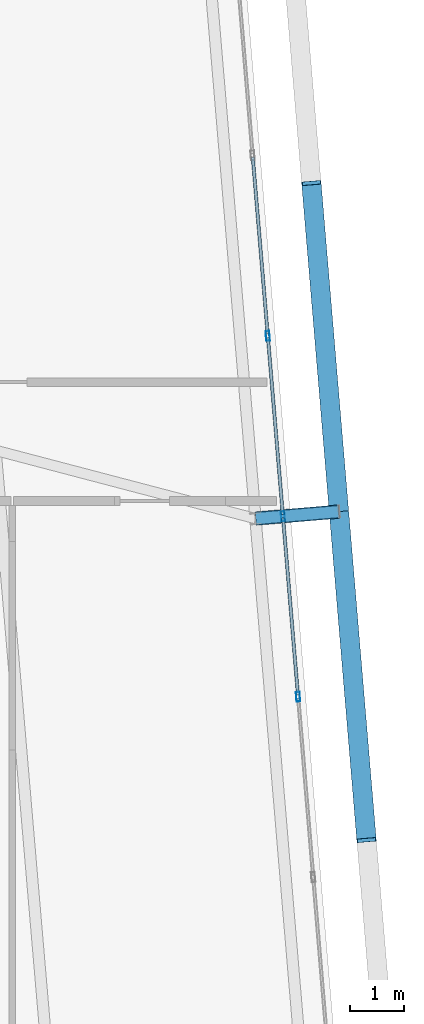
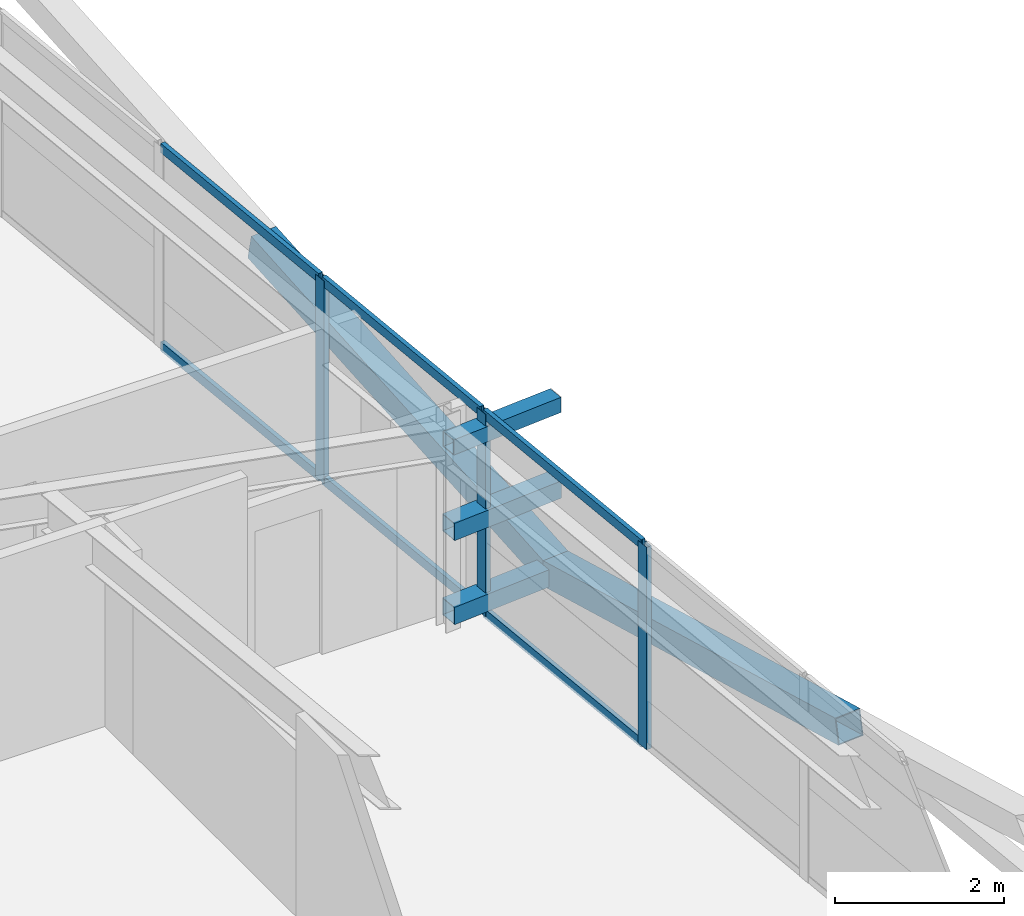
# One storey, part 25 of 46: 14 members, 1 element without a shape of its own.
"""IFC4 building model written with IfcOpenShell, lengths in metres."""

from ifc_helpers import new_model, si_unit, direction, frame, origin, origin_2d, place, context, subcontext, project, spatial, hollow_rectangle, extrude, source, transform, mapped, material, layer, layer_set, material_profile, profile_set, type_object, element, aggregate, save


model = new_model("IFC4")

# Units and contexts
model_context = context("Model", 3, precision=1e-05, world=origin(), true_north=direction((0.0, 1.0)))
body_context = subcontext(model_context, "Body", "Model", "MODEL_VIEW")
ifc_project = project(units=[si_unit("LENGTHUNIT", "METRE"), si_unit("AREAUNIT", "SQUARE_METRE"), si_unit("VOLUMEUNIT", "CUBIC_METRE"), si_unit("PLANEANGLEUNIT", "RADIAN"), si_unit("MASSUNIT", "GRAM", prefix="KILO")], contexts=[model_context])

# Site, building, storey
site_placement = place(None, origin())
site = spatial("IfcSite", under=ifc_project, at=site_placement, CompositionType="ELEMENT")
building_placement = place(site_placement, origin())
building = spatial("IfcBuilding", under=site, at=building_placement, Name="Taldren Reach Tower", CompositionType="ELEMENT")
storey_placement = place(building_placement, frame((0.0, 0.0, 188.300048828125)))
storey = spatial("IfcBuildingStorey", under=building, at=storey_placement, Name="L57", CompositionType="ELEMENT", Elevation=188.300048828125)

# Members
ifc_material_1 = material(Name="Steel Gr 450 (C450L0)", Category="steel")
ifc_material_profile_1 = material_profile(ifc_material_1, hollow_rectangle(XDim=0.219970703125, YDim=0.219970703125, WallThickness=0.00830078125, at=origin_2d()), Name="220x220x8.2SHS")
ifc_profile_set_1 = profile_set([ifc_material_profile_1], Name="Steel Gr 450 (C450L0)")
member_type_1 = type_object("IfcMemberType", Name="MB-TIE219", PredefinedType="STRUT", material=ifc_profile_set_1)
shared_shape_1 = source(origin(), body_context, "Body", "SweptSolid", [
    extrude(hollow_rectangle(XDim=0.219970703125, YDim=0.219970703125, WallThickness=0.00830078125, at=origin_2d()), origin(), (0.0, 0.0, 1.0), 1.54541015625),
])
member_1_placement = place(storey_placement, frame((60.621826171875, 21.47509765625, 2.64990234375), z_axis=(0.99648887425, 0.083725285883, 0.0), x_axis=(-0.083725285883, 0.99648887425, 0.0)))
element("IfcMember", 1, at=member_1_placement, inside=storey, type_object=member_type_1, Name="Exoskeleton diaphragm tie strut B4-E2 L57", PredefinedType="STRUT", context=body_context, shape_type="MappedRepresentation", body=[
    mapped(shared_shape_1, transform((0.0, 0.0, 0.0), scale=1.0)),
])
ifc_material_2 = material(Name="Steel Gr 350 (C350L0)", Category="steel")
ifc_material_profile_2 = material_profile(ifc_material_2, hollow_rectangle(XDim=0.25, YDim=0.25, WallThickness=0.010009765625, at=origin_2d()), Name="250x250x10.0SHS")
ifc_profile_set_2 = profile_set([ifc_material_profile_2], Name="Steel Gr 350 (C350L0)")
member_type_2 = type_object("IfcMemberType", Name="MB-POST250", PredefinedType="POST", material=ifc_profile_set_2)
shared_shape_2 = source(origin(), body_context, "Body", "SweptSolid", [
    extrude(hollow_rectangle(XDim=0.25, YDim=0.25, WallThickness=0.010009765625, at=origin_2d()), origin(), (0.0, 0.0, 1.0), 1.54541015625),
])
for number, where, z_axis, x_axis, name in (
    (2, (60.621826171875, 21.47509765625, 0.219970703125), (0.99648887425, 0.083725285883, 0.0), (-0.083725285883, 0.99648887425, 0.0), "Exoskeleton base diaphragm tie strut B4-E2 L57"),
    (3, (60.621826171875, 21.47509765625, 1.43505859375), (0.99648887425, 0.083725285883, 0.0), (-0.083725285883, 0.99648887425, 0.0), "Exoskeleton mid-tier diaphragm tie B4-E2 L57"),
):
    element("IfcMember", number, at=place(storey_placement, frame(where, z_axis=z_axis, x_axis=x_axis)), inside=storey, type_object=member_type_2, Name=name, PredefinedType="POST", context=body_context, shape_type="MappedRepresentation", body=[
        mapped(shared_shape_2, transform((0.0, 0.0, 0.0), scale=1.0)),
    ])
ifc_material_profile_3 = material_profile(ifc_material_1, hollow_rectangle(XDim=0.360107421875, YDim=0.360107421875, WallThickness=0.0126953125, at=origin_2d()), Name="360x360x12.7SHS")
ifc_profile_set_3 = profile_set([ifc_material_profile_3], Name="Steel Gr 450 (C450L0)")
member_type_3 = type_object("IfcMemberType", Name="MB-EXO356", PredefinedType="BRACE", material=ifc_profile_set_3)
shared_shape_3 = source(origin(), body_context, "Body", "SweptSolid", [
    extrude(hollow_rectangle(XDim=0.360107421875, YDim=0.360107421875, WallThickness=0.0126953125, at=origin_2d()), origin(), (0.0, 0.0, 1.0), 6.219970703125),
])
member_2_placement = place(storey_placement, frame((62.161865234375, 21.6044921875, 0.219970703125), z_axis=(-0.082075564879, 0.977291924611, 0.195356330179), x_axis=(-0.996492003099, -0.083688038336, 0.0)))
element("IfcMember", 4, at=member_2_placement, inside=storey, type_object=member_type_3, Name="Exoskeleton Diagrid Brace B4-E2 L57", PredefinedType="BRACE", context=body_context, shape_type="MappedRepresentation", body=[
    mapped(shared_shape_3, transform((0.0, 0.0, 0.0), scale=1.0)),
])
shared_shape_4 = source(origin(), body_context, "Body", "SweptSolid", [
    extrude(hollow_rectangle(XDim=0.360107421875, YDim=0.360107421875, WallThickness=0.0126953125, at=origin_2d()), origin(), (0.0, 0.0, 1.0), 6.2197265625),
])
member_3_placement = place(storey_placement, frame((62.161865234375, 21.6044921875, 0.219970703125), z_axis=(0.082036577282, -0.977295072332, 0.195356959394), x_axis=(0.996495340012, 0.08364829547, 0.0)))
element("IfcMember", 5, at=member_3_placement, inside=storey, type_object=member_type_3, Name="Exoskeleton Diagrid Brace B4-E1 L57", PredefinedType="BRACE", context=body_context, shape_type="MappedRepresentation", body=[
    mapped(shared_shape_4, transform((0.0, 0.0, 0.0), scale=1.0)),
])

# Curtain wall, members
ifc_material_3 = material(Name="Aluminium and Low-E Glass Unitised System", Category="aluminium")
ifc_layer = layer(ifc_material_3, 0.159912109375)
ifc_layer_set = layer_set([ifc_layer], Name="Aluminium and Low-E Glass Unitised System")
curtain_wall_type = type_object("IfcCurtainWallType", Name="CW-SYS-5", PredefinedType="NOTDEFINED", material=ifc_layer_set)
curtain_wall_placement = place(storey_placement, origin())
curtain_wall = element("IfcCurtainWall", 6, at=curtain_wall_placement, inside=storey, type_object=curtain_wall_type, Name="Unitised curtain wall CW-L57-E", PredefinedType="NOTDEFINED")
ifc_material_4 = material(Name="Anodised Aluminium 6063-T6", Category="aluminium")
ifc_material_profile_4 = material_profile(ifc_material_4, hollow_rectangle(XDim=0.070068359375, YDim=0.179931640625, WallThickness=0.00390625, at=origin_2d()), Name="ALU-180x70x4RHS")
ifc_profile_set_4 = profile_set([ifc_material_profile_4], Name="Anodised Aluminium 6063-T6")
member_type_4 = type_object("IfcMemberType", Name="CW-MUL-180", PredefinedType="MULLION", material=ifc_profile_set_4)
shared_shape_5 = source(origin(), body_context, "Body", "SweptSolid", [
    extrude(hollow_rectangle(XDim=0.070068359375, YDim=0.179931640625, WallThickness=0.00390625, at=origin_2d()), origin(), (0.0, 0.0, 1.0), 2.929931640625),
])
member_4_placement = place(storey_placement, frame((61.40576171875, 18.17919921875, 0.0), z_axis=(0.0, 0.0, 1.0), x_axis=(-0.996492847789, -0.083677979808, 0.0)))
member_4 = element("IfcMember", 7, at=member_4_placement, type_object=member_type_4, Name="CW-5 mullion 4", PredefinedType="MULLION", context=body_context, shape_type="MappedRepresentation", body=[
    mapped(shared_shape_5, transform((0.0, 0.0, 0.0), scale=1.0)),
])
member_5_placement = place(storey_placement, frame((61.12548828125, 21.517578125, 0.0), z_axis=(0.0, 0.0, 1.0), x_axis=(-0.996492847789, -0.083677979808, 0.0)))
member_5 = element("IfcMember", 8, at=member_5_placement, type_object=member_type_4, Name="CW-5 mullion 5", PredefinedType="MULLION", context=body_context, shape_type="MappedRepresentation", body=[
    mapped(shared_shape_5, transform((0.0, 0.0, 0.0), scale=1.0)),
])
member_6_placement = place(storey_placement, frame((60.84521484375, 24.855712890625, 0.0), z_axis=(0.0, 0.0, 1.0), x_axis=(-0.996492847789, -0.083677979808, 0.0)))
member_6 = element("IfcMember", 9, at=member_6_placement, type_object=member_type_4, Name="CW-5 mullion 6", PredefinedType="MULLION", context=body_context, shape_type="MappedRepresentation", body=[
    mapped(shared_shape_5, transform((0.0, 0.0, 0.0), scale=1.0)),
])
ifc_material_profile_5 = material_profile(ifc_material_4, hollow_rectangle(XDim=0.06005859375, YDim=0.135009765625, WallThickness=0.00341796875, at=origin_2d()), Name="ALU-135x60x3.5RHS")
ifc_profile_set_5 = profile_set([ifc_material_profile_5], Name="Anodised Aluminium 6063-T6")
member_type_5 = type_object("IfcMemberType", Name="CW-TRN-150", PredefinedType="USERDEFINED", material=ifc_profile_set_5)
shared_shape_6 = source(origin(), body_context, "Body", "SweptSolid", [
    extrude(hollow_rectangle(XDim=0.06005859375, YDim=0.135009765625, WallThickness=0.00341796875, at=origin_2d()), origin(), (0.0, 0.0, 1.0), 3.280029296875),
])
member_7_placement = place(storey_placement, frame((61.40283203125, 18.214111328125, 0.030029296875), z_axis=(-0.083661452101, 0.996494235524, 0.0), x_axis=(-0.996494235524, -0.083661452101, 0.0)))
member_7 = element("IfcMember", 10, at=member_7_placement, type_object=member_type_5, Name="CW-5 transom 4.1", ObjectType="TRANSOM", PredefinedType="USERDEFINED", context=body_context, shape_type="MappedRepresentation", body=[
    mapped(shared_shape_6, transform((0.0, 0.0, 0.0), scale=1.0)),
])
member_8_placement = place(storey_placement, frame((61.40283203125, 18.214111328125, 2.89990234375), z_axis=(-0.083661452101, 0.996494235524, 0.0), x_axis=(-0.996494235524, -0.083661452101, 0.0)))
member_8 = element("IfcMember", 11, at=member_8_placement, type_object=member_type_5, Name="CW-5 transom 4.2", ObjectType="TRANSOM", PredefinedType="USERDEFINED", context=body_context, shape_type="MappedRepresentation", body=[
    mapped(shared_shape_6, transform((0.0, 0.0, 0.0), scale=1.0)),
])
member_9_placement = place(storey_placement, frame((61.12255859375, 21.55224609375, 0.030029296875), z_axis=(-0.083661452101, 0.996494235524, 0.0), x_axis=(-0.996494235524, -0.083661452101, 0.0)))
member_9 = element("IfcMember", 12, at=member_9_placement, type_object=member_type_5, Name="CW-5 transom 5.1", ObjectType="TRANSOM", PredefinedType="USERDEFINED", context=body_context, shape_type="MappedRepresentation", body=[
    mapped(shared_shape_6, transform((0.0, 0.0, 0.0), scale=1.0)),
])
member_10_placement = place(storey_placement, frame((61.12255859375, 21.55224609375, 2.89990234375), z_axis=(-0.083661452101, 0.996494235524, 0.0), x_axis=(-0.996494235524, -0.083661452101, 0.0)))
member_10 = element("IfcMember", 13, at=member_10_placement, type_object=member_type_5, Name="CW-5 transom 5.2", ObjectType="TRANSOM", PredefinedType="USERDEFINED", context=body_context, shape_type="MappedRepresentation", body=[
    mapped(shared_shape_6, transform((0.0, 0.0, 0.0), scale=1.0)),
])
member_11_placement = place(storey_placement, frame((60.84228515625, 24.890625, 0.030029296875), z_axis=(-0.083735362341, 0.996488027572, 0.0), x_axis=(-0.996488027572, -0.083735362341, 0.0)))
member_11 = element("IfcMember", 14, at=member_11_placement, type_object=member_type_5, Name="CW-5 transom 6.1", ObjectType="TRANSOM", PredefinedType="USERDEFINED", context=body_context, shape_type="MappedRepresentation", body=[
    mapped(shared_shape_6, transform((0.0, 0.0, 0.0), scale=1.0)),
])
member_12_placement = place(storey_placement, frame((60.84228515625, 24.890625, 2.89990234375), z_axis=(-0.083735362341, 0.996488027572, 0.0), x_axis=(-0.996488027572, -0.083735362341, 0.0)))
member_12 = element("IfcMember", 15, at=member_12_placement, type_object=member_type_5, Name="CW-5 transom 6.2", ObjectType="TRANSOM", PredefinedType="USERDEFINED", context=body_context, shape_type="MappedRepresentation", body=[
    mapped(shared_shape_6, transform((0.0, 0.0, 0.0), scale=1.0)),
])
aggregate(curtain_wall, [member_4, member_5, member_6, member_7, member_8, member_9, member_10, member_11, member_12])

save(model, "model.ifc")
